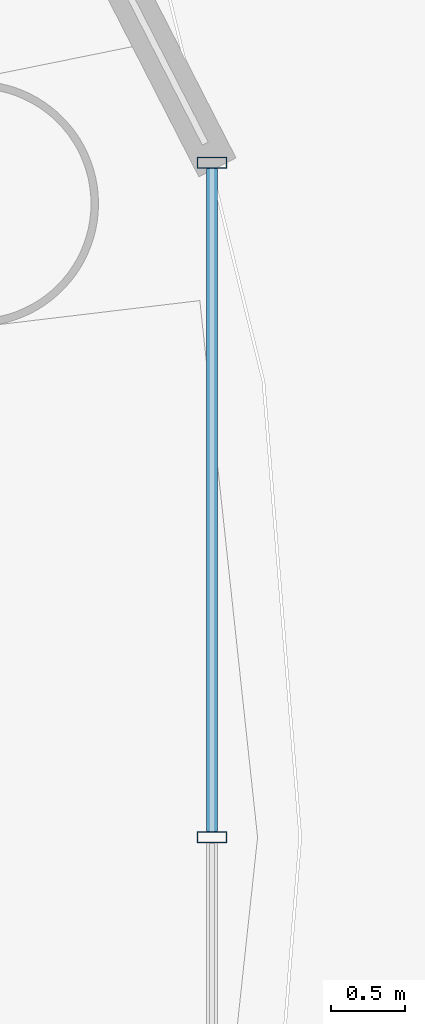
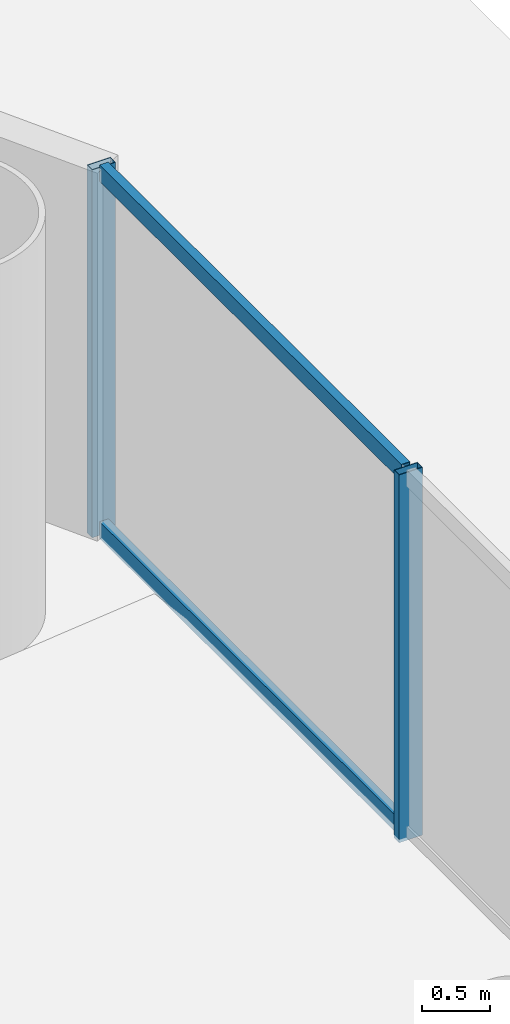
# One storey, part 19 of 37: 4 members, 1 element without a shape of its own.
"""IFC4 building model written with IfcOpenShell, lengths in metres."""

from ifc_helpers import new_model, si_unit, direction, frame, origin, origin_2d, place, context, subcontext, project, spatial, hollow_rectangle, extrude, source, transform, mapped, material, material_profile, profile_set, type_object, element, aggregate, save


model = new_model("IFC4")

# Units and contexts
model_context = context("Model", 3, precision=1e-05, world=origin(), true_north=direction((-0.2419218956, 0.970295726276)))
body_context = subcontext(model_context, "Body", "Model", "MODEL_VIEW")
ifc_project = project(units=[si_unit("LENGTHUNIT", "METRE"), si_unit("AREAUNIT", "SQUARE_METRE"), si_unit("VOLUMEUNIT", "CUBIC_METRE"), si_unit("PLANEANGLEUNIT", "RADIAN"), si_unit("MASSUNIT", "GRAM", prefix="KILO")], contexts=[model_context])

# Site, building, storey
site_placement = place(None, origin())
site = spatial("IfcSite", under=ifc_project, at=site_placement, CompositionType="ELEMENT")
building_placement = place(site_placement, origin())
building = spatial("IfcBuilding", under=site, at=building_placement, Name="Cobrevalo Terracotta Tower", CompositionType="ELEMENT")
storey_placement = place(building_placement, frame((0.0, 0.0, 24.0)))
storey = spatial("IfcBuildingStorey", under=building, at=storey_placement, Name="L05", CompositionType="ELEMENT", Elevation=24.0)

# Curtain wall, members
ifc_material = material(Name="Anodized aluminium", Category="aluminium")
curtain_wall_type = type_object("IfcCurtainWallType", Name="Lower-tower unitised acoustic low-E curtain wall CW-U1", PredefinedType="NOTDEFINED", material=ifc_material)
curtain_wall_placement = place(storey_placement, origin())
curtain_wall = element("IfcCurtainWall", 1, at=curtain_wall_placement, inside=storey, type_object=curtain_wall_type, Name="L05 curtain wall CW-L05-S16", PredefinedType="NOTDEFINED")
ifc_material_profile_1 = material_profile(ifc_material, hollow_rectangle(XDim=0.074951171875, YDim=0.199951171875, WallThickness=0.0048828125, at=origin_2d()), Name="CWM 75x200")
ifc_profile_set_1 = profile_set([ifc_material_profile_1], Name="Anodized aluminium")
member_type_1 = type_object("IfcMemberType", Name="Lower/mid tower unitised mullion 75x200", PredefinedType="MULLION", material=ifc_profile_set_1)
shared_shape_1 = source(origin(), body_context, "Body", "SweptSolid", [
    extrude(hollow_rectangle(XDim=0.074951171875, YDim=0.199951171875, WallThickness=0.0048828125, at=origin_2d()), origin(), (0.0, 0.0, 1.0), 3.320068359375),
])
member_1_placement = place(storey_placement, frame((66.413330078125, 26.800048828125, 0.0), z_axis=(0.0, 0.0, 1.0), x_axis=(0.0, 1.0, 0.0)))
member_1 = element("IfcMember", 2, at=member_1_placement, type_object=member_type_1, Name="CW-L05-S16 vertical mullion 02", PredefinedType="MULLION", context=body_context, shape_type="MappedRepresentation", body=[
    mapped(shared_shape_1, transform((0.0, 0.0, 0.0), scale=1.0)),
])
member_2_placement = place(storey_placement, frame((66.413330078125, 31.3388671875, 0.0), z_axis=(0.0, 0.0, 1.0), x_axis=(0.0, 1.0, 0.0)))
member_2 = element("IfcMember", 3, at=member_2_placement, type_object=member_type_1, Name="CW-L05-S16 vertical mullion 03", PredefinedType="MULLION", context=body_context, shape_type="MappedRepresentation", body=[
    mapped(shared_shape_1, transform((0.0, 0.0, 0.0), scale=1.0)),
])
ifc_material_profile_2 = material_profile(ifc_material, hollow_rectangle(XDim=0.074951171875, YDim=0.14990234375, WallThickness=0.00439453125, at=origin_2d()), Name="CWT 75x150")
ifc_profile_set_2 = profile_set([ifc_material_profile_2], Name="Anodized aluminium")
member_type_2 = type_object("IfcMemberType", Name="Tower unitised aluminium transom 75x150", PredefinedType="USERDEFINED", material=ifc_profile_set_2)
shared_shape_2 = source(origin(), body_context, "Body", "SweptSolid", [
    extrude(hollow_rectangle(XDim=0.074951171875, YDim=0.14990234375, WallThickness=0.00439453125, at=origin_2d()), origin(), (0.0, 0.0, 1.0), 4.458740234375),
])
member_3_placement = place(storey_placement, frame((66.413330078125, 26.840087890625, 0.050048828125), z_axis=(0.0, 1.0, 0.0), x_axis=(-1.0, 0.0, 0.0)))
member_3 = element("IfcMember", 4, at=member_3_placement, type_object=member_type_2, Name="CW-L05-S16 transom B02-T1", ObjectType="TRANSOM", PredefinedType="USERDEFINED", context=body_context, shape_type="MappedRepresentation", body=[
    mapped(shared_shape_2, transform((0.0, 0.0, 0.0), scale=1.0)),
])
member_4_placement = place(storey_placement, frame((66.413330078125, 26.840087890625, 3.27001953125), z_axis=(0.0, 1.0, 0.0), x_axis=(-1.0, 0.0, 0.0)))
member_4 = element("IfcMember", 5, at=member_4_placement, type_object=member_type_2, Name="CW-L05-S16 transom B02-T2", ObjectType="TRANSOM", PredefinedType="USERDEFINED", context=body_context, shape_type="MappedRepresentation", body=[
    mapped(shared_shape_2, transform((0.0, 0.0, 0.0), scale=1.0)),
])
aggregate(curtain_wall, [member_1, member_2, member_3, member_4])

save(model, "model.ifc")
